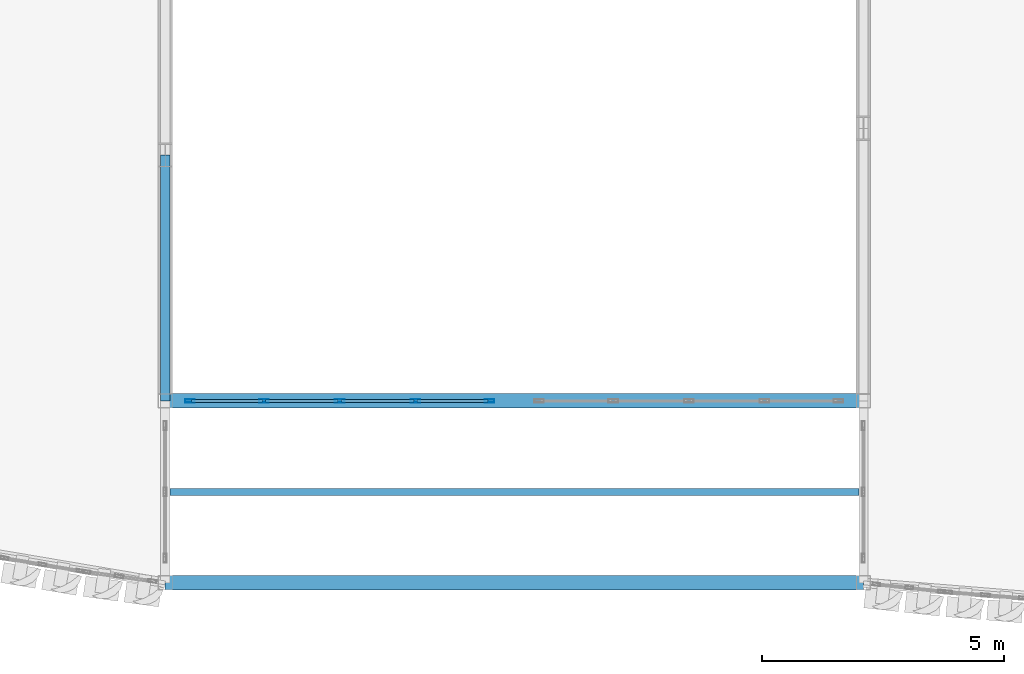
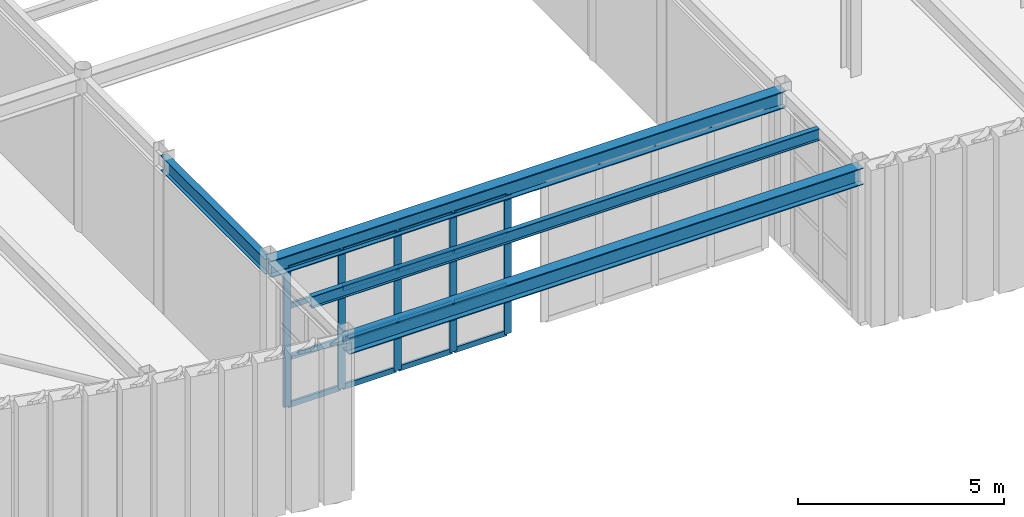
# One storey, part 41 of 121: 21 members, 4 beams, 1 element without a shape of its own.
"""IFC4 building model written with IfcOpenShell, lengths in metres."""

from ifc_helpers import new_model, si_unit, direction, frame, origin, origin_2d, place, context, subcontext, project, spatial, hollow_rectangle, i_section, extrude, material, layer, layer_set, material_profile, profile_set, type_object, element, aggregate, save


model = new_model("IFC4")

# Units and contexts
model_context = context("Model", 3, precision=1e-05, world=origin(), true_north=direction((0.0, 1.0)))
body_context = subcontext(model_context, "Body", "Model", "MODEL_VIEW")
ifc_project = project(units=[si_unit("LENGTHUNIT", "METRE"), si_unit("AREAUNIT", "SQUARE_METRE"), si_unit("VOLUMEUNIT", "CUBIC_METRE"), si_unit("PLANEANGLEUNIT", "RADIAN"), si_unit("MASSUNIT", "GRAM", prefix="KILO")], contexts=[model_context])

# Site, building, storey
site_placement = place(None, origin())
site = spatial("IfcSite", under=ifc_project, at=site_placement, CompositionType="ELEMENT")
building_placement = place(site_placement, origin())
building = spatial("IfcBuilding", under=site, at=building_placement, Name="Solvadek Multi-Sports Hall", CompositionType="ELEMENT")
storey_placement = place(building_placement, frame((0.0, 0.0, 4.800048828125)))
storey = spatial("IfcBuildingStorey", under=building, at=storey_placement, Name="L01", CompositionType="ELEMENT", Elevation=4.800048828125)

# Curtain wall, members
ifc_material_1 = material(Name="Anodised aluminium", Category="aluminium")
ifc_layer = layer(ifc_material_1, 0.159912109375, Name="Anodised aluminium")
ifc_layer_set = layer_set([ifc_layer], Name="Anodised aluminium")
curtain_wall_type = type_object("IfcCurtainWallType", Name="ENV-CW-624X410", PredefinedType="USERDEFINED", material=ifc_layer_set)
curtain_wall_placement = place(storey_placement, origin())
curtain_wall = element("IfcCurtainWall", 1, at=curtain_wall_placement, inside=storey, type_object=curtain_wall_type, Name="L01 Perimeter Bay Curtain Wall #116", ObjectType="CURTAIN WALL", PredefinedType="USERDEFINED")
ifc_material_profile_1 = material_profile(ifc_material_1, hollow_rectangle(XDim=0.06494140625, YDim=0.199951171875, WallThickness=0.0048828125, at=origin_2d()), Name="ALU-M 200x65x5")
ifc_profile_set_1 = profile_set([ifc_material_profile_1], Name="Anodised aluminium")
member_type_1 = type_object("IfcMemberType", Name="ENV-CWM-03", PredefinedType="MULLION", material=ifc_profile_set_1)
member_1_placement = place(storey_placement, frame((72.512451171875, -9.0, 0.0), z_axis=(0.0, 0.0, 1.0), x_axis=(0.0, 1.0, 0.0)))
member_1 = element("IfcMember", 2, at=member_1_placement, type_object=member_type_1, Name="CW-39 mullion 1", PredefinedType="MULLION", context=body_context, shape_type="SweptSolid", body=[
    extrude(hollow_rectangle(XDim=0.06494140625, YDim=0.199951171875, WallThickness=0.0048828125, at=origin_2d()), origin(), (0.0, 0.0, 1.0), 4.099853515625),
])
member_2_placement = place(storey_placement, frame((74.0400390625, -9.0, 0.0), z_axis=(0.0, 0.0, 1.0), x_axis=(0.0, 1.0, 0.0)))
member_2 = element("IfcMember", 3, at=member_2_placement, type_object=member_type_1, Name="CW-39 mullion 2", PredefinedType="MULLION", context=body_context, shape_type="SweptSolid", body=[
    extrude(hollow_rectangle(XDim=0.06494140625, YDim=0.199951171875, WallThickness=0.0048828125, at=origin_2d()), origin(), (0.0, 0.0, 1.0), 4.099853515625),
])
member_3_placement = place(storey_placement, frame((75.60009765625, -9.0, 0.0), z_axis=(0.0, 0.0, 1.0), x_axis=(0.0, 1.0, 0.0)))
member_3 = element("IfcMember", 4, at=member_3_placement, type_object=member_type_1, Name="CW-39 mullion 3", PredefinedType="MULLION", context=body_context, shape_type="SweptSolid", body=[
    extrude(hollow_rectangle(XDim=0.06494140625, YDim=0.199951171875, WallThickness=0.0048828125, at=origin_2d()), origin(), (0.0, 0.0, 1.0), 4.099853515625),
])
member_4_placement = place(storey_placement, frame((77.159912109375, -9.0, 0.0), z_axis=(0.0, 0.0, 1.0), x_axis=(0.0, 1.0, 0.0)))
member_4 = element("IfcMember", 5, at=member_4_placement, type_object=member_type_1, Name="CW-39 mullion 4", PredefinedType="MULLION", context=body_context, shape_type="SweptSolid", body=[
    extrude(hollow_rectangle(XDim=0.06494140625, YDim=0.199951171875, WallThickness=0.0048828125, at=origin_2d()), origin(), (0.0, 0.0, 1.0), 4.099853515625),
])
member_5_placement = place(storey_placement, frame((78.6875, -9.0, 0.0), z_axis=(0.0, 0.0, 1.0), x_axis=(0.0, 1.0, 0.0)))
member_5 = element("IfcMember", 6, at=member_5_placement, type_object=member_type_1, Name="CW-39 mullion 5", PredefinedType="MULLION", context=body_context, shape_type="SweptSolid", body=[
    extrude(hollow_rectangle(XDim=0.06494140625, YDim=0.199951171875, WallThickness=0.0048828125, at=origin_2d()), origin(), (0.0, 0.0, 1.0), 4.099853515625),
])
ifc_material_profile_2 = material_profile(ifc_material_1, hollow_rectangle(XDim=0.06494140625, YDim=0.159912109375, WallThickness=0.00390625, at=origin_2d()), Name="ALU-T 160x65x4")
ifc_profile_set_2 = profile_set([ifc_material_profile_2], Name="Anodised aluminium")
member_type_2 = type_object("IfcMemberType", Name="ENV-CWT-03", PredefinedType="USERDEFINED", material=ifc_profile_set_2)
member_6_placement = place(storey_placement, frame((72.544921875, -9.0, 0.032470703125), z_axis=(1.0, 0.0, 0.0), x_axis=(0.0, 1.0, 0.0)))
member_6 = element("IfcMember", 7, at=member_6_placement, type_object=member_type_2, Name="CW-39 transom 1.1", ObjectType="TRANSOM", PredefinedType="USERDEFINED", context=body_context, shape_type="SweptSolid", body=[
    extrude(hollow_rectangle(XDim=0.06494140625, YDim=0.159912109375, WallThickness=0.00390625, at=origin_2d()), origin(), (0.0, 0.0, 1.0), 1.462646484375),
])
member_7_placement = place(storey_placement, frame((72.544921875, -9.0, 1.43505859375), z_axis=(1.0, 0.0, 0.0), x_axis=(0.0, 1.0, 0.0)))
member_7 = element("IfcMember", 8, at=member_7_placement, type_object=member_type_2, Name="CW-39 transom 1.2", ObjectType="TRANSOM", PredefinedType="USERDEFINED", context=body_context, shape_type="SweptSolid", body=[
    extrude(hollow_rectangle(XDim=0.06494140625, YDim=0.159912109375, WallThickness=0.00390625, at=origin_2d()), origin(), (0.0, 0.0, 1.0), 1.462646484375),
])
member_8_placement = place(storey_placement, frame((72.544921875, -9.0, 2.951904296875), z_axis=(1.0, 0.0, 0.0), x_axis=(0.0, 1.0, 0.0)))
member_8 = element("IfcMember", 9, at=member_8_placement, type_object=member_type_2, Name="CW-39 transom 1.3", ObjectType="TRANSOM", PredefinedType="USERDEFINED", context=body_context, shape_type="SweptSolid", body=[
    extrude(hollow_rectangle(XDim=0.06494140625, YDim=0.159912109375, WallThickness=0.00390625, at=origin_2d()), origin(), (0.0, 0.0, 1.0), 1.462646484375),
])
member_9_placement = place(storey_placement, frame((72.544921875, -9.0, 4.0673828125), z_axis=(1.0, 0.0, 0.0), x_axis=(0.0, 1.0, 0.0)))
member_9 = element("IfcMember", 10, at=member_9_placement, type_object=member_type_2, Name="CW-39 transom 1.4", ObjectType="TRANSOM", PredefinedType="USERDEFINED", context=body_context, shape_type="SweptSolid", body=[
    extrude(hollow_rectangle(XDim=0.06494140625, YDim=0.159912109375, WallThickness=0.00390625, at=origin_2d()), origin(), (0.0, 0.0, 1.0), 1.462646484375),
])
member_10_placement = place(storey_placement, frame((74.072509765625, -9.0, 0.032470703125), z_axis=(1.0, 0.0, 0.0), x_axis=(0.0, 1.0, 0.0)))
member_10 = element("IfcMember", 11, at=member_10_placement, type_object=member_type_2, Name="CW-39 transom 2.1", ObjectType="TRANSOM", PredefinedType="USERDEFINED", context=body_context, shape_type="SweptSolid", body=[
    extrude(hollow_rectangle(XDim=0.06494140625, YDim=0.159912109375, WallThickness=0.00390625, at=origin_2d()), origin(), (0.0, 0.0, 1.0), 1.494873046875),
])
member_11_placement = place(storey_placement, frame((74.072509765625, -9.0, 1.43505859375), z_axis=(1.0, 0.0, 0.0), x_axis=(0.0, 1.0, 0.0)))
member_11 = element("IfcMember", 12, at=member_11_placement, type_object=member_type_2, Name="CW-39 transom 2.2", ObjectType="TRANSOM", PredefinedType="USERDEFINED", context=body_context, shape_type="SweptSolid", body=[
    extrude(hollow_rectangle(XDim=0.06494140625, YDim=0.159912109375, WallThickness=0.00390625, at=origin_2d()), origin(), (0.0, 0.0, 1.0), 1.494873046875),
])
member_12_placement = place(storey_placement, frame((74.072509765625, -9.0, 2.951904296875), z_axis=(1.0, 0.0, 0.0), x_axis=(0.0, 1.0, 0.0)))
member_12 = element("IfcMember", 13, at=member_12_placement, type_object=member_type_2, Name="CW-39 transom 2.3", ObjectType="TRANSOM", PredefinedType="USERDEFINED", context=body_context, shape_type="SweptSolid", body=[
    extrude(hollow_rectangle(XDim=0.06494140625, YDim=0.159912109375, WallThickness=0.00390625, at=origin_2d()), origin(), (0.0, 0.0, 1.0), 1.494873046875),
])
member_13_placement = place(storey_placement, frame((74.072509765625, -9.0, 4.0673828125), z_axis=(1.0, 0.0, 0.0), x_axis=(0.0, 1.0, 0.0)))
member_13 = element("IfcMember", 14, at=member_13_placement, type_object=member_type_2, Name="CW-39 transom 2.4", ObjectType="TRANSOM", PredefinedType="USERDEFINED", context=body_context, shape_type="SweptSolid", body=[
    extrude(hollow_rectangle(XDim=0.06494140625, YDim=0.159912109375, WallThickness=0.00390625, at=origin_2d()), origin(), (0.0, 0.0, 1.0), 1.494873046875),
])
member_14_placement = place(storey_placement, frame((75.632568359375, -9.0, 0.032470703125), z_axis=(1.0, 0.0, 0.0), x_axis=(0.0, 1.0, 0.0)))
member_14 = element("IfcMember", 15, at=member_14_placement, type_object=member_type_2, Name="CW-39 transom 3.1", ObjectType="TRANSOM", PredefinedType="USERDEFINED", context=body_context, shape_type="SweptSolid", body=[
    extrude(hollow_rectangle(XDim=0.06494140625, YDim=0.159912109375, WallThickness=0.00390625, at=origin_2d()), origin(), (0.0, 0.0, 1.0), 1.494873046875),
])
member_15_placement = place(storey_placement, frame((75.632568359375, -9.0, 1.43505859375), z_axis=(1.0, 0.0, 0.0), x_axis=(0.0, 1.0, 0.0)))
member_15 = element("IfcMember", 16, at=member_15_placement, type_object=member_type_2, Name="CW-39 transom 3.2", ObjectType="TRANSOM", PredefinedType="USERDEFINED", context=body_context, shape_type="SweptSolid", body=[
    extrude(hollow_rectangle(XDim=0.06494140625, YDim=0.159912109375, WallThickness=0.00390625, at=origin_2d()), origin(), (0.0, 0.0, 1.0), 1.494873046875),
])
member_16_placement = place(storey_placement, frame((75.632568359375, -9.0, 2.951904296875), z_axis=(1.0, 0.0, 0.0), x_axis=(0.0, 1.0, 0.0)))
member_16 = element("IfcMember", 17, at=member_16_placement, type_object=member_type_2, Name="CW-39 transom 3.3", ObjectType="TRANSOM", PredefinedType="USERDEFINED", context=body_context, shape_type="SweptSolid", body=[
    extrude(hollow_rectangle(XDim=0.06494140625, YDim=0.159912109375, WallThickness=0.00390625, at=origin_2d()), origin(), (0.0, 0.0, 1.0), 1.494873046875),
])
member_17_placement = place(storey_placement, frame((75.632568359375, -9.0, 4.0673828125), z_axis=(1.0, 0.0, 0.0), x_axis=(0.0, 1.0, 0.0)))
member_17 = element("IfcMember", 18, at=member_17_placement, type_object=member_type_2, Name="CW-39 transom 3.4", ObjectType="TRANSOM", PredefinedType="USERDEFINED", context=body_context, shape_type="SweptSolid", body=[
    extrude(hollow_rectangle(XDim=0.06494140625, YDim=0.159912109375, WallThickness=0.00390625, at=origin_2d()), origin(), (0.0, 0.0, 1.0), 1.494873046875),
])
member_18_placement = place(storey_placement, frame((77.1923828125, -9.0, 0.032470703125), z_axis=(1.0, 0.0, 0.0), x_axis=(0.0, 1.0, 0.0)))
member_18 = element("IfcMember", 19, at=member_18_placement, type_object=member_type_2, Name="CW-39 transom 4.1", ObjectType="TRANSOM", PredefinedType="USERDEFINED", context=body_context, shape_type="SweptSolid", body=[
    extrude(hollow_rectangle(XDim=0.06494140625, YDim=0.159912109375, WallThickness=0.00390625, at=origin_2d()), origin(), (0.0, 0.0, 1.0), 1.462646484375),
])
member_19_placement = place(storey_placement, frame((77.1923828125, -9.0, 1.43505859375), z_axis=(1.0, 0.0, 0.0), x_axis=(0.0, 1.0, 0.0)))
member_19 = element("IfcMember", 20, at=member_19_placement, type_object=member_type_2, Name="CW-39 transom 4.2", ObjectType="TRANSOM", PredefinedType="USERDEFINED", context=body_context, shape_type="SweptSolid", body=[
    extrude(hollow_rectangle(XDim=0.06494140625, YDim=0.159912109375, WallThickness=0.00390625, at=origin_2d()), origin(), (0.0, 0.0, 1.0), 1.462646484375),
])
member_20_placement = place(storey_placement, frame((77.1923828125, -9.0, 2.951904296875), z_axis=(1.0, 0.0, 0.0), x_axis=(0.0, 1.0, 0.0)))
member_20 = element("IfcMember", 21, at=member_20_placement, type_object=member_type_2, Name="CW-39 transom 4.3", ObjectType="TRANSOM", PredefinedType="USERDEFINED", context=body_context, shape_type="SweptSolid", body=[
    extrude(hollow_rectangle(XDim=0.06494140625, YDim=0.159912109375, WallThickness=0.00390625, at=origin_2d()), origin(), (0.0, 0.0, 1.0), 1.462646484375),
])
member_21_placement = place(storey_placement, frame((77.1923828125, -9.0, 4.0673828125), z_axis=(1.0, 0.0, 0.0), x_axis=(0.0, 1.0, 0.0)))
member_21 = element("IfcMember", 22, at=member_21_placement, type_object=member_type_2, Name="CW-39 transom 4.4", ObjectType="TRANSOM", PredefinedType="USERDEFINED", context=body_context, shape_type="SweptSolid", body=[
    extrude(hollow_rectangle(XDim=0.06494140625, YDim=0.159912109375, WallThickness=0.00390625, at=origin_2d()), origin(), (0.0, 0.0, 1.0), 1.462646484375),
])
aggregate(curtain_wall, [member_1, member_2, member_3, member_4, member_5, member_6, member_7, member_8, member_9, member_10, member_11, member_12, member_13, member_14, member_15, member_16, member_17, member_18, member_19, member_20, member_21])

# Beams
ifc_material_2 = material(Name="Steel E350 (350 MPa)", Category="steel")
ifc_material_profile_3 = material_profile(ifc_material_2, i_section(OverallWidth=0.18994140625, OverallDepth=0.449951171875, WebThickness=0.009521484375, FlangeThickness=0.0146484375, at=origin_2d()), Name="NPB 450")
ifc_profile_set_3 = profile_set([ifc_material_profile_3], Name="Steel E350 (350 MPa)")
beam_type_1 = type_object("IfcBeamType", Name="STR-BM-NPB450", PredefinedType="BEAM", material=ifc_profile_set_3)
beam_1_placement = place(storey_placement, frame((72.0, -9.0, 4.3349609375), z_axis=(0.0, 1.0, 0.0), x_axis=(-1.0, 0.0, 0.0)))
element("IfcBeam", 23, at=beam_1_placement, inside=storey, type_object=beam_type_1, Name="L01 Girder B-08 #1245", PredefinedType="BEAM", context=body_context, shape_type="SweptSolid", body=[
    extrude(i_section(OverallWidth=0.18994140625, OverallDepth=0.449951171875, WebThickness=0.009521484375, FlangeThickness=0.0146484375, at=origin_2d()), origin(), (0.0, 0.0, 1.0), 5.071044921875),
])
ifc_material_profile_4 = material_profile(ifc_material_2, i_section(OverallWidth=0.139892578125, OverallDepth=0.35009765625, WebThickness=0.008056640625, FlangeThickness=0.01416015625, at=origin_2d()), Name="ISMB 350")
ifc_profile_set_4 = profile_set([ifc_material_profile_4], Name="Steel E350 (350 MPa)")
beam_type_2 = type_object("IfcBeamType", Name="STR-JST-ISMB350", PredefinedType="JOIST", material=ifc_profile_set_4)
beam_2_placement = place(storey_placement, frame((72.094970703125, -10.8779296875, 4.385009765625), z_axis=(1.0, 0.0, 0.0), x_axis=(0.0, 1.0, 0.0)))
element("IfcBeam", 24, at=beam_2_placement, inside=storey, type_object=beam_type_2, Name="L01 Composite Joist J-01 #584", PredefinedType="JOIST", context=body_context, shape_type="SweptSolid", body=[
    extrude(i_section(OverallWidth=0.139892578125, OverallDepth=0.35009765625, WebThickness=0.008056640625, FlangeThickness=0.01416015625, at=origin_2d()), origin(), (0.0, 0.0, 1.0), 14.2099609375),
])
ifc_material_profile_5 = material_profile(ifc_material_2, i_section(OverallWidth=0.300048828125, OverallDepth=0.5, WebThickness=0.014404296875, FlangeThickness=0.028076171875, at=origin_2d()), Name="WPB 500")
ifc_profile_set_5 = profile_set([ifc_material_profile_5], Name="Steel E350 (350 MPa)")
beam_type_3 = type_object("IfcBeamType", Name="STR-SPN-WPB500", PredefinedType="SPANDREL", material=ifc_profile_set_5)
for number, where, z_axis, x_axis, name in (
    (25, (72.0, -12.7529296875, 4.31005859375), (1.0, 0.0, 0.0), (0.0, 1.0, 0.0), "L01 Girder SP-01 #944"),
    (26, (72.0, -9.0, 4.31005859375), (1.0, 0.0, 0.0), (0.0, 1.0, 0.0), "L01 Girder SP-01 #945"),
):
    element("IfcBeam", number, at=place(storey_placement, frame(where, z_axis=z_axis, x_axis=x_axis)), inside=storey, type_object=beam_type_3, Name=name, PredefinedType="SPANDREL", context=body_context, shape_type="SweptSolid", body=[
        extrude(i_section(OverallWidth=0.300048828125, OverallDepth=0.5, WebThickness=0.014404296875, FlangeThickness=0.028076171875, at=origin_2d()), origin(), (0.0, 0.0, 1.0), 14.39990234375),
    ])

save(model, "model.ifc")
